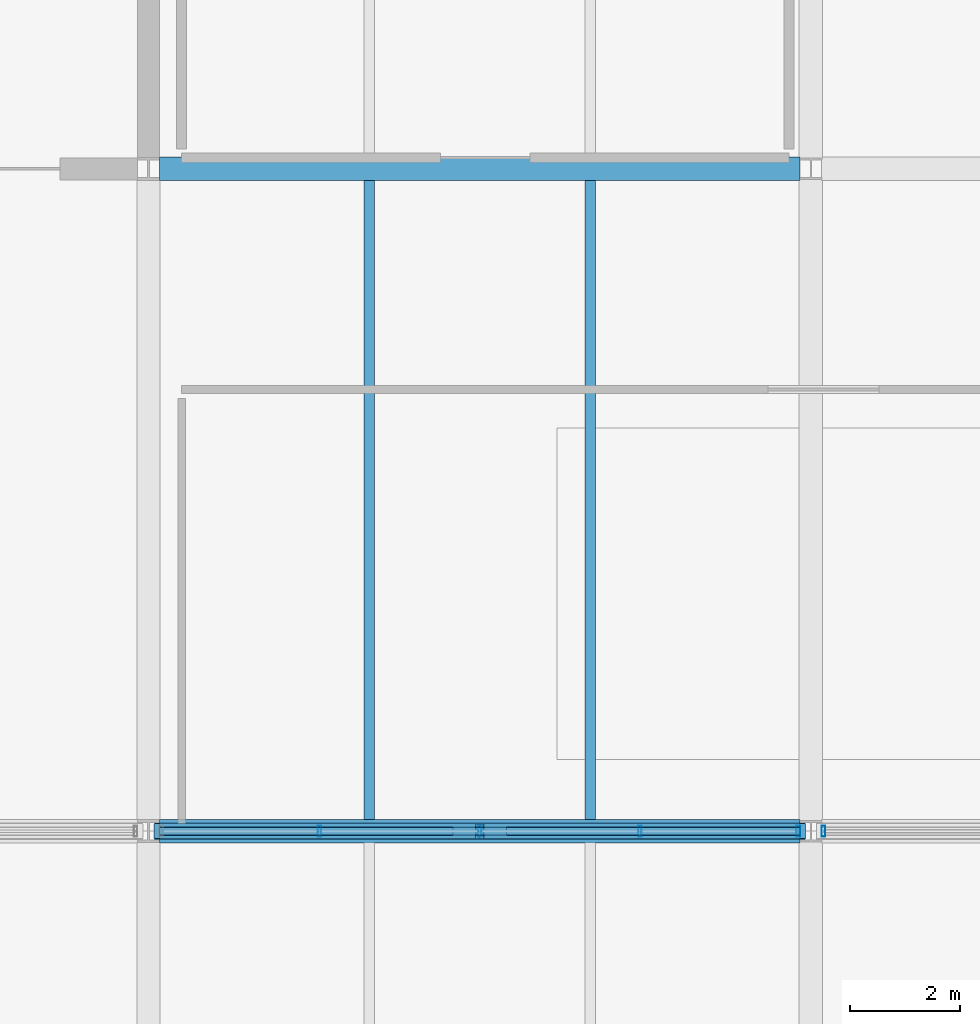
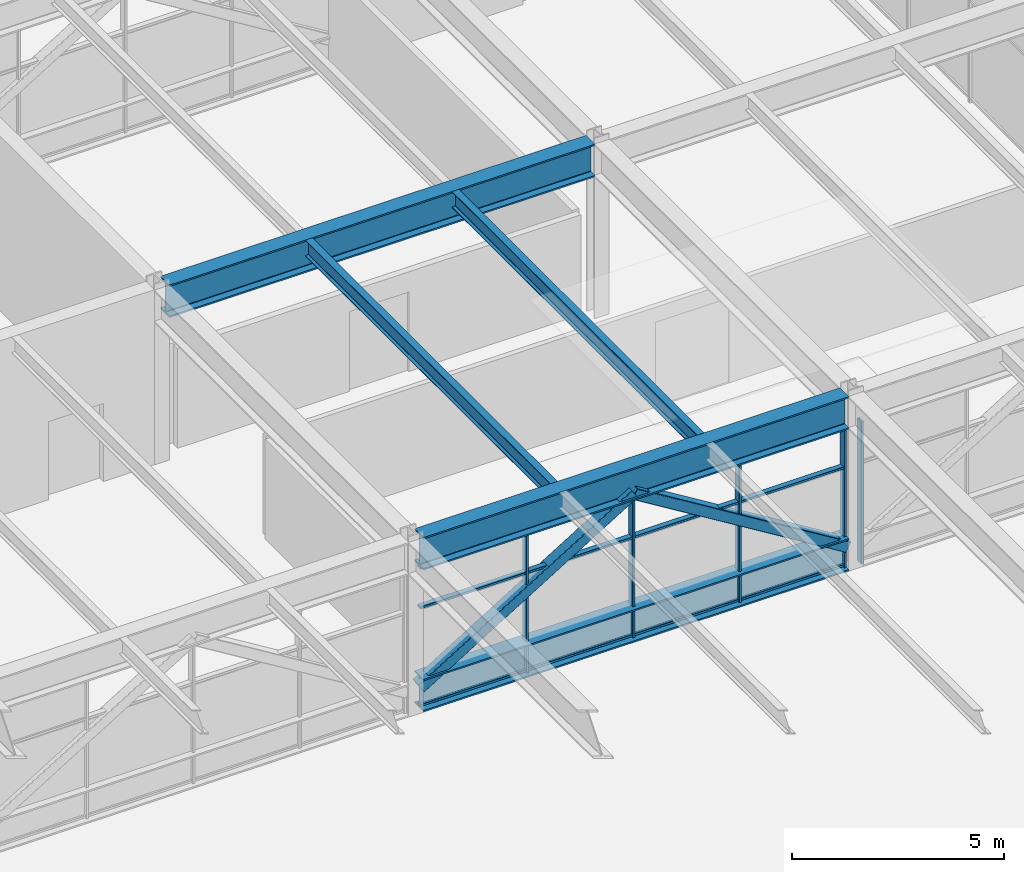
# One storey, part 28 of 42: 11 members, 4 beams, 2 elements without a shape of their own.
"""IFC4 building model written with IfcOpenShell, lengths in metres."""

from ifc_helpers import new_model, si_unit, direction, frame, origin, origin_2d, place, context, subcontext, project, spatial, hollow_rectangle, i_section, extrude, material, material_profile, profile_set, type_object, element, aggregate, save


model = new_model("IFC4")

# Units and contexts
model_context = context("Model", 3, precision=1e-05, world=origin(), true_north=direction((0.0, 1.0)))
body_context = subcontext(model_context, "Body", "Model", "MODEL_VIEW")
ifc_project = project(units=[si_unit("LENGTHUNIT", "METRE"), si_unit("AREAUNIT", "SQUARE_METRE"), si_unit("VOLUMEUNIT", "CUBIC_METRE"), si_unit("PLANEANGLEUNIT", "RADIAN"), si_unit("MASSUNIT", "GRAM", prefix="KILO")], contexts=[model_context])

# Site, building, storey
site_placement = place(None, origin())
site = spatial("IfcSite", under=ifc_project, at=site_placement, CompositionType="ELEMENT")
building_placement = place(site_placement, origin())
building = spatial("IfcBuilding", under=site, at=building_placement, Name="Girod Span Mobility Hub", CompositionType="ELEMENT")
storey_placement = place(building_placement, frame((0.0, 0.0, 32.39990234375)))
storey = spatial("IfcBuildingStorey", under=building, at=storey_placement, Name="L08", CompositionType="ELEMENT", Elevation=32.39990234375)

# Beams
ifc_material_1 = material(Name="Steel A992 Grade 50", Category="steel")
ifc_material_profile_1 = material_profile(ifc_material_1, i_section(OverallWidth=0.19189453125, OverallDepth=0.462890625, WebThickness=0.010498046875, FlangeThickness=0.017578125, FilletRadius=0.013916015625, at=origin_2d()), Name="W18X60")
ifc_profile_set_1 = profile_set([ifc_material_profile_1], Name="Steel A992 Grade 50")
beam_type_1 = type_object("IfcBeamType", Name="BM-STL-W18X60", PredefinedType="BEAM", material=ifc_profile_set_1)
for number, where, z_axis, x_axis, name in (
    (1, (124.0, 45.20849609375, 4.80859375), (0.0, 1.0, 0.0), (-1.0, 0.0, 0.0), "Composite Floorbeam 11/D-1 L08"),
    (2, (128.0, 45.20849609375, 4.80859375), (0.0, 1.0, 0.0), (-1.0, 0.0, 0.0), "Composite Floorbeam 11/D-2 L08"),
):
    element("IfcBeam", number, at=place(storey_placement, frame(where, z_axis=z_axis, x_axis=x_axis)), inside=storey, type_object=beam_type_1, Name=name, PredefinedType="BEAM", context=body_context, shape_type="SweptSolid", body=[
        extrude(i_section(OverallWidth=0.19189453125, OverallDepth=0.462890625, WebThickness=0.010498046875, FlangeThickness=0.017578125, FilletRadius=0.013916015625, at=origin_2d()), origin(), (0.0, 0.0, 1.0), 11.5830078125),
    ])
ifc_material_2 = material(Name="Steel A992 Grade 50", Category="steel")
ifc_material_profile_2 = material_profile(ifc_material_2, i_section(OverallWidth=0.423095703125, OverallDepth=0.93994140625, WebThickness=0.02392578125, FlangeThickness=0.042724609375, FilletRadius=0.02392578125, at=origin_2d()), Name="W36X302")
ifc_profile_set_2 = profile_set([ifc_material_profile_2], Name="Steel A992 Grade 50")
beam_type_2 = type_object("IfcBeamType", Name="BM-STL-W36X302", PredefinedType="BEAM", material=ifc_profile_set_2)
for number, where, z_axis, x_axis, name in (
    (3, (120.199951171875, 45.0, 4.570068359375), (1.0, 0.0, 0.0), (0.0, 1.0, 0.0), "Girder 11-12/D L08"),
    (4, (120.199951171875, 57.0, 4.570068359375), (1.0, 0.0, 0.0), (0.0, 1.0, 0.0), "Girder 11-12/E L08"),
):
    element("IfcBeam", number, at=place(storey_placement, frame(where, z_axis=z_axis, x_axis=x_axis)), inside=storey, type_object=beam_type_2, Name=name, PredefinedType="BEAM", context=body_context, shape_type="SweptSolid", body=[
        extrude(i_section(OverallWidth=0.423095703125, OverallDepth=0.93994140625, WebThickness=0.02392578125, FlangeThickness=0.042724609375, FilletRadius=0.02392578125, at=origin_2d()), origin(), (0.0, 0.0, 1.0), 11.603515625),
    ])

# Curtain wall, members
ifc_material_3 = material(Name="Thermally Broken Anodised Aluminium", Category="aluminium")
curtain_wall_type = type_object("IfcCurtainWallType", Name="CW-1160X410", PredefinedType="USERDEFINED", material=ifc_material_3)
curtain_wall_1_placement = place(storey_placement, origin())
curtain_wall_1 = element("IfcCurtainWall", 5, at=curtain_wall_1_placement, inside=storey, type_object=curtain_wall_type, Name="Unitised Curtain Wall CW-L08-S11 L08", ObjectType="UNITISED CURTAIN WALL", PredefinedType="USERDEFINED")
ifc_material_4 = material(Name="Thermally Broken Anodised Aluminium", Category="aluminium")
ifc_material_profile_3 = material_profile(ifc_material_4, hollow_rectangle(XDim=0.199951171875, YDim=0.06494140625, WallThickness=0.00390625, InnerFilletRadius=0.00390625, OuterFilletRadius=0.008056640625, at=origin_2d()), Name="CW-ML-65X200")
ifc_profile_set_3 = profile_set([ifc_material_profile_3], Name="Thermally Broken Anodised Aluminium")
member_type_1 = type_object("IfcMemberType", Name="CWM-ML-1", PredefinedType="MULLION", material=ifc_profile_set_3)
member_1_placement = place(storey_placement, frame((123.101318359375, 45.0, 0.0), z_axis=(0.0, 0.0, 1.0), x_axis=(0.0, 1.0, 0.0)))
member_1 = element("IfcMember", 6, at=member_1_placement, type_object=member_type_1, Name="Curtain Wall Mullion CW-L08-S11-M1", PredefinedType="MULLION", context=body_context, shape_type="SweptSolid", body=[
    extrude(hollow_rectangle(XDim=0.199951171875, YDim=0.06494140625, WallThickness=0.00390625, InnerFilletRadius=0.00390625, OuterFilletRadius=0.008056640625, at=origin_2d()), origin(), (0.0, 0.0, 1.0), 4.10009765625),
])
member_2_placement = place(storey_placement, frame((126.001708984375, 45.0, 0.0), z_axis=(0.0, 0.0, 1.0), x_axis=(0.0, 1.0, 0.0)))
member_2 = element("IfcMember", 7, at=member_2_placement, type_object=member_type_1, Name="Curtain Wall Mullion CW-L08-S11-M2", PredefinedType="MULLION", context=body_context, shape_type="SweptSolid", body=[
    extrude(hollow_rectangle(XDim=0.199951171875, YDim=0.06494140625, WallThickness=0.00390625, InnerFilletRadius=0.00390625, OuterFilletRadius=0.008056640625, at=origin_2d()), origin(), (0.0, 0.0, 1.0), 4.10009765625),
])
member_3_placement = place(storey_placement, frame((128.902099609375, 45.0, 0.0), z_axis=(0.0, 0.0, 1.0), x_axis=(0.0, 1.0, 0.0)))
member_3 = element("IfcMember", 8, at=member_3_placement, type_object=member_type_1, Name="Curtain Wall Mullion CW-L08-S11-M3", PredefinedType="MULLION", context=body_context, shape_type="SweptSolid", body=[
    extrude(hollow_rectangle(XDim=0.199951171875, YDim=0.06494140625, WallThickness=0.00390625, InnerFilletRadius=0.00390625, OuterFilletRadius=0.008056640625, at=origin_2d()), origin(), (0.0, 0.0, 1.0), 4.10009765625),
])
member_4_placement = place(storey_placement, frame((131.7705078125, 45.0, 0.0), z_axis=(0.0, 0.0, 1.0), x_axis=(0.0, 1.0, 0.0)))
member_4 = element("IfcMember", 9, at=member_4_placement, type_object=member_type_1, Name="Curtain Wall Mullion CW-L08-S11-M4", PredefinedType="MULLION", context=body_context, shape_type="SweptSolid", body=[
    extrude(hollow_rectangle(XDim=0.199951171875, YDim=0.06494140625, WallThickness=0.00390625, InnerFilletRadius=0.00390625, OuterFilletRadius=0.008056640625, at=origin_2d()), origin(), (0.0, 0.0, 1.0), 4.10009765625),
])

# Curtain wall, member
curtain_wall_2_placement = place(storey_placement, origin())
curtain_wall_2 = element("IfcCurtainWall", 10, at=curtain_wall_2_placement, inside=storey, type_object=curtain_wall_type, Name="Unitised Curtain Wall CW-L08-S12 L08", ObjectType="UNITISED CURTAIN WALL", PredefinedType="USERDEFINED")
member_5_placement = place(storey_placement, frame((132.2294921875, 45.0, 0.0), z_axis=(0.0, 0.0, 1.0), x_axis=(0.0, 1.0, 0.0)))
member_5 = element("IfcMember", 11, at=member_5_placement, type_object=member_type_1, Name="Curtain Wall Mullion CW-L08-S12-M0", PredefinedType="MULLION", context=body_context, shape_type="SweptSolid", body=[
    extrude(hollow_rectangle(XDim=0.199951171875, YDim=0.06494140625, WallThickness=0.00390625, InnerFilletRadius=0.00390625, OuterFilletRadius=0.008056640625, at=origin_2d()), origin(), (0.0, 0.0, 1.0), 4.10009765625),
])
aggregate(curtain_wall_2, [member_5])

# Member
ifc_material_5 = material(Name="Thermally Broken Anodised Aluminium", Category="aluminium")
ifc_material_profile_4 = material_profile(ifc_material_5, hollow_rectangle(XDim=0.14990234375, YDim=0.06494140625, WallThickness=0.00390625, InnerFilletRadius=0.00390625, OuterFilletRadius=0.008056640625, at=origin_2d()), Name="CW-TR-65X150")
ifc_profile_set_4 = profile_set([ifc_material_profile_4], Name="Thermally Broken Anodised Aluminium")
member_type_2 = type_object("IfcMemberType", Name="CWM-TR-1", PredefinedType="USERDEFINED", material=ifc_profile_set_4)
member_6_placement = place(storey_placement, frame((120.200927734375, 45.0, 0.107666015625), z_axis=(1.0, 0.0, 0.0), x_axis=(0.0, 1.0, 0.0)))
member_6 = element("IfcMember", 12, at=member_6_placement, type_object=member_type_2, Name="Curtain Wall Transom CW-L08-S11-T1", ObjectType="TRANSOM", PredefinedType="USERDEFINED", context=body_context, shape_type="SweptSolid", body=[
    extrude(hollow_rectangle(XDim=0.14990234375, YDim=0.06494140625, WallThickness=0.00390625, InnerFilletRadius=0.00390625, OuterFilletRadius=0.008056640625, at=origin_2d()), origin(), (0.0, 0.0, 1.0), 11.6015625),
])

member_7_placement = place(storey_placement, frame((120.200927734375, 45.0, 2.919677734375), z_axis=(1.0, 0.0, 0.0), x_axis=(0.0, 1.0, 0.0)))
member_7 = element("IfcMember", 13, at=member_7_placement, type_object=member_type_2, Name="Curtain Wall Transom CW-L08-S11-T2", ObjectType="TRANSOM", PredefinedType="USERDEFINED", context=body_context, shape_type="SweptSolid", body=[
    extrude(hollow_rectangle(XDim=0.14990234375, YDim=0.06494140625, WallThickness=0.00390625, InnerFilletRadius=0.00390625, OuterFilletRadius=0.008056640625, at=origin_2d()), origin(), (0.0, 0.0, 1.0), 11.6015625),
])

member_8_placement = place(storey_placement, frame((120.200927734375, 45.0, 4.067626953125), z_axis=(1.0, 0.0, 0.0), x_axis=(0.0, 1.0, 0.0)))
member_8 = element("IfcMember", 14, at=member_8_placement, type_object=member_type_2, Name="Curtain Wall Transom CW-L08-S11-T3", ObjectType="TRANSOM", PredefinedType="USERDEFINED", context=body_context, shape_type="SweptSolid", body=[
    extrude(hollow_rectangle(XDim=0.14990234375, YDim=0.06494140625, WallThickness=0.00390625, InnerFilletRadius=0.00390625, OuterFilletRadius=0.008056640625, at=origin_2d()), origin(), (0.0, 0.0, 1.0), 11.6015625),
])

aggregate(curtain_wall_1, [member_1, member_2, member_3, member_4, member_6, member_7, member_8])

# Members
ifc_material_6 = material(Name="Steel HSS A500 Grade C", Category="steel")
ifc_material_profile_5 = material_profile(ifc_material_6, hollow_rectangle(XDim=0.304931640625, YDim=0.304931640625, WallThickness=0.014892578125, InnerFilletRadius=0.014892578125, OuterFilletRadius=0.029541015625, at=origin_2d()), Name="HSS305X305X16")
ifc_profile_set_5 = profile_set([ifc_material_profile_5], Name="Steel HSS A500 Grade C")
member_type_3 = type_object("IfcMemberType", Name="MB-BR-HSS305", PredefinedType="BRACE", material=ifc_profile_set_5)
member_9_placement = place(storey_placement, frame((120.18310546875, 45.0, 0.650146484375), z_axis=(0.852282861165, 0.0, 0.523081183531), x_axis=(0.0, 1.0, 0.0)))
element("IfcMember", 15, at=member_9_placement, inside=storey, type_object=member_type_3, Name="Warren Transfer Truss Web Diagonal Y=45 11-L", PredefinedType="BRACE", context=body_context, shape_type="SweptSolid", body=[
    extrude(hollow_rectangle(XDim=0.304931640625, YDim=0.304931640625, WallThickness=0.014892578125, InnerFilletRadius=0.014892578125, OuterFilletRadius=0.029541015625, at=origin_2d()), origin(), (0.0, 0.0, 1.0), 6.8251953125),
])
member_10_placement = place(storey_placement, frame((131.820556640625, 45.0, 0.650146484375), z_axis=(-0.852429572688, 0.0, 0.522842063731), x_axis=(0.0, -1.0, 0.0)))
element("IfcMember", 16, at=member_10_placement, inside=storey, type_object=member_type_3, Name="Warren Transfer Truss Web Diagonal Y=45 11-R", PredefinedType="BRACE", context=body_context, shape_type="SweptSolid", body=[
    extrude(hollow_rectangle(XDim=0.304931640625, YDim=0.304931640625, WallThickness=0.014892578125, InnerFilletRadius=0.014892578125, OuterFilletRadius=0.029541015625, at=origin_2d()), origin(), (0.0, 0.0, 1.0), 6.828125),
])
ifc_material_7 = material(Name="Steel A992 Grade 50", Category="steel")
ifc_material_profile_6 = material_profile(ifc_material_7, i_section(OverallWidth=0.423095703125, OverallDepth=0.93994140625, WebThickness=0.02392578125, FlangeThickness=0.042724609375, FilletRadius=0.02392578125, at=origin_2d()), Name="W36X302")
ifc_profile_set_6 = profile_set([ifc_material_profile_6], Name="Steel A992 Grade 50")
member_type_4 = type_object("IfcMemberType", Name="MB-CH-W36X302", PredefinedType="CHORD", material=ifc_profile_set_6)
member_11_placement = place(storey_placement, frame((120.199951171875, 45.0, 0.47998046875), z_axis=(1.0, 0.0, 0.0), x_axis=(0.0, 1.0, 0.0)))
element("IfcMember", 17, at=member_11_placement, inside=storey, type_object=member_type_4, Name="Warren Transfer Truss Bottom Chord Y=45 Bay 11", PredefinedType="CHORD", context=body_context, shape_type="SweptSolid", body=[
    extrude(i_section(OverallWidth=0.423095703125, OverallDepth=0.93994140625, WebThickness=0.02392578125, FlangeThickness=0.042724609375, FilletRadius=0.02392578125, at=origin_2d()), origin(), (0.0, 0.0, 1.0), 11.603515625),
])

save(model, "model.ifc")
